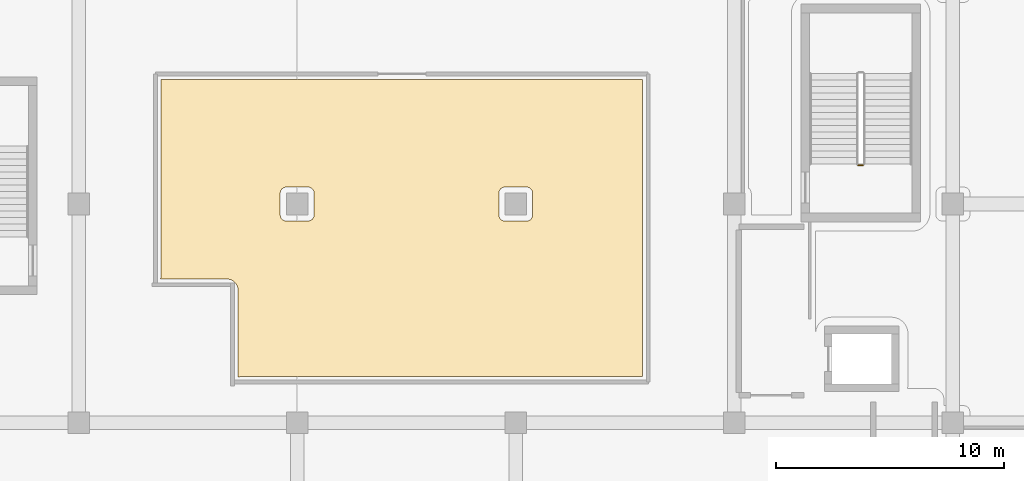
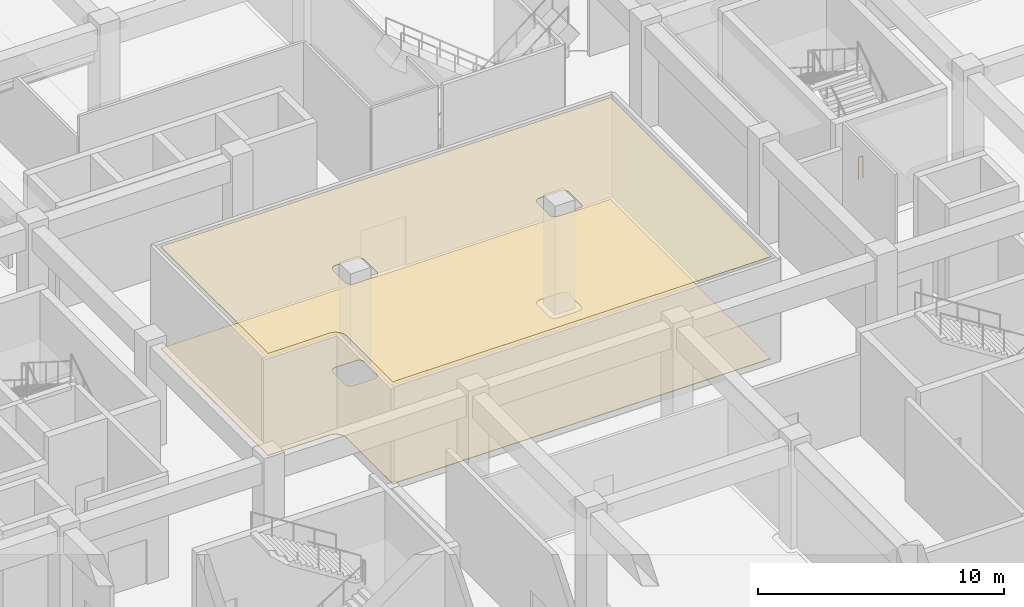
# One storey, part 48 of 74: 2 coverings, 1 railing.
"""IFC4 building model written with IfcOpenShell, lengths in metres."""

from ifc_helpers import new_model, si_unit, direction, frame, origin, origin_2d, place, context, subcontext, project, spatial, polyline, circle, outline, extrude, material, layer, layer_set, type_object, element, save


model = new_model("IFC4")

# Units and contexts
model_context = context("Model", 3, precision=1e-05, world=origin(), true_north=direction((0.0, 1.0)))
body_context = subcontext(model_context, "Body", "Model", "MODEL_VIEW")
ifc_project = project(units=[si_unit("LENGTHUNIT", "METRE"), si_unit("AREAUNIT", "SQUARE_METRE"), si_unit("VOLUMEUNIT", "CUBIC_METRE"), si_unit("PLANEANGLEUNIT", "RADIAN"), si_unit("MASSUNIT", "GRAM", prefix="KILO")], contexts=[model_context])

# Site, building, storey
site_placement = place(None, origin())
site = spatial("IfcSite", under=ifc_project, at=site_placement, CompositionType="ELEMENT")
building_placement = place(site_placement, origin())
building = spatial("IfcBuilding", under=site, at=building_placement, Name="Cendralis Terraced Arcade", CompositionType="ELEMENT")
storey_placement = place(building_placement, origin())
storey = spatial("IfcBuildingStorey", under=building, at=storey_placement, Name="L00", CompositionType="ELEMENT", Elevation=0.0)

# Coverings
ifc_material_1 = material(Name="Gypsum plasterboard acoustic partition")
ifc_layer_1 = layer(ifc_material_1, 0.02490234375, Name="COV-CEIL-ACOU-25")
ifc_layer_set_1 = layer_set([ifc_layer_1], Name="Gypsum plasterboard acoustic partition")
covering_type_1 = type_object("IfcCoveringType", Name="COV-CEIL-ACOU-25", PredefinedType="CEILING", material=ifc_layer_set_1)
covering_1_placement = place(storey_placement, frame((0.0, 0.0, 5.06494140625)))
element("IfcCovering", 1, at=covering_1_placement, inside=storey, type_object=covering_type_1, Name="Acoustic Soffit Ceiling L00-024", PredefinedType="CEILING", context=body_context, shape_type="SweptSolid", body=[
    extrude(outline(polyline([(22.803466796875, 25.52001953125), (22.8046875, 25.52587890625), (22.80615234375, 25.53173828125), (22.807373046875, 25.53759765625), (22.809814453125, 25.54931640625), (22.810791015625, 25.555419921875), (22.811767578125, 25.56103515625), (22.812744140625, 25.567138671875), (22.82177734375, 25.627197265625), (22.822509765625, 25.63330078125), (22.8232421875, 25.639404296875), (22.823974609375, 25.6455078125), (22.8251953125, 25.656982421875), (22.82568359375, 25.6630859375), (22.825927734375, 25.669189453125), (22.826416015625, 25.67529296875), (22.829345703125, 25.736083984375), (22.82958984375, 25.739013671875), (22.82958984375, 25.741943359375), (22.82958984375, 25.7451171875), (22.829833984375, 25.7509765625), (22.829833984375, 25.75390625), (22.830078125, 25.7568359375), (22.830078125, 25.760009765625), (22.830078125, 34.27001953125), (43.969970703125, 34.27001953125), (43.969970703125, 21.22998046875), (26.4599609375, 21.22998046875), (26.456787109375, 21.22998046875), (26.4541015625, 21.22998046875), (26.450927734375, 21.22998046875), (26.445068359375, 21.229736328125), (26.44189453125, 21.2294921875), (26.43896484375, 21.2294921875), (26.43603515625, 21.2294921875), (26.375244140625, 21.226318359375), (26.369140625, 21.22607421875), (26.36328125, 21.2255859375), (26.357177734375, 21.22509765625), (26.345458984375, 21.223876953125), (26.33935546875, 21.223388671875), (26.33349609375, 21.222412109375), (26.327392578125, 21.2216796875), (26.26708984375, 21.212890625), (26.260986328125, 21.2119140625), (26.25537109375, 21.210693359375), (26.249267578125, 21.209716796875), (26.23779296875, 21.20751953125), (26.231689453125, 21.2060546875), (26.22607421875, 21.204833984375), (26.219970703125, 21.203369140625), (26.2099609375, 21.200927734375), (26.2099609375, 25.0), (26.2099609375, 25.006103515625), (26.209716796875, 25.011962890625), (26.209716796875, 25.018310546875), (26.208984375, 25.031982421875), (26.2080078125, 25.044189453125), (26.206787109375, 25.055908203125), (26.205322265625, 25.068115234375), (26.203369140625, 25.08154296875), (26.201171875, 25.09375), (26.198974609375, 25.105224609375), (26.1962890625, 25.1171875), (26.19287109375, 25.130615234375), (26.189697265625, 25.142333984375), (26.186279296875, 25.153564453125), (26.182373046875, 25.165283203125), (26.177734375, 25.17822265625), (26.17333984375, 25.189697265625), (26.168701171875, 25.20068359375), (26.163818359375, 25.2119140625), (26.157958984375, 25.22412109375), (26.15234375, 25.235107421875), (26.14697265625, 25.24560546875), (26.140869140625, 25.256103515625), (26.1337890625, 25.26806640625), (26.127197265625, 25.2783203125), (26.12060546875, 25.2880859375), (26.113525390625, 25.298095703125), (26.10546875, 25.30908203125), (26.097900390625, 25.31884765625), (26.09033203125, 25.327880859375), (26.08251953125, 25.33740234375), (26.072998046875, 25.347412109375), (26.064697265625, 25.3564453125), (26.056396484375, 25.36474609375), (26.047607421875, 25.373046875), (26.037353515625, 25.38232421875), (26.028076171875, 25.390380859375), (26.018798828125, 25.39794921875), (26.00927734375, 25.405517578125), (25.998291015625, 25.41357421875), (25.98828125, 25.420654296875), (25.978515625, 25.42724609375), (25.968017578125, 25.433837890625), (25.956298828125, 25.44091796875), (25.945556640625, 25.447021484375), (25.935302734375, 25.452392578125), (25.92431640625, 25.4580078125), (25.911865234375, 25.4638671875), (25.900634765625, 25.46875), (25.8896484375, 25.473388671875), (25.878173828125, 25.477783203125), (25.865234375, 25.482421875), (25.853515625, 25.486083984375), (25.84228515625, 25.489501953125), (25.83056640625, 25.492919921875), (25.817138671875, 25.49609375), (25.80517578125, 25.498779296875), (25.793701171875, 25.501220703125), (25.781494140625, 25.50341796875), (25.76806640625, 25.50537109375), (25.755859375, 25.5068359375), (25.744140625, 25.508056640625), (25.73193359375, 25.5087890625), (25.71826171875, 25.509521484375), (25.7119140625, 25.509765625), (25.7060546875, 25.510009765625), (25.699951171875, 25.510009765625), (22.80078125, 25.510009765625), (22.803466796875, 25.52001953125)]), holes=[polyline([(37.785400390625, 28.093994140625), (37.787109375, 28.093017578125), (37.80859375, 28.081298828125), (37.810546875, 28.08056640625), (37.8330078125, 28.071044921875), (37.8349609375, 28.070556640625), (37.8583984375, 28.0634765625), (37.8603515625, 28.06298828125), (37.884521484375, 28.05810546875), (37.886474609375, 28.057861328125), (37.910888671875, 28.055419921875), (37.91259765625, 28.055419921875), (37.925048828125, 28.054931640625), (38.875, 28.054931640625), (38.88720703125, 28.055419921875), (38.88916015625, 28.055419921875), (38.91357421875, 28.057861328125), (38.91552734375, 28.05810546875), (38.939697265625, 28.06298828125), (38.941650390625, 28.0634765625), (38.965087890625, 28.070556640625), (38.966796875, 28.071044921875), (38.989501953125, 28.08056640625), (38.9912109375, 28.081298828125), (39.012939453125, 28.093017578125), (39.0146484375, 28.093994140625), (39.034912109375, 28.107666015625), (39.03662109375, 28.108642578125), (39.0556640625, 28.124267578125), (39.056884765625, 28.12548828125), (39.074462890625, 28.14306640625), (39.07568359375, 28.144287109375), (39.09130859375, 28.163330078125), (39.09228515625, 28.1650390625), (39.106201171875, 28.185302734375), (39.107177734375, 28.18701171875), (39.11865234375, 28.208740234375), (39.119384765625, 28.21044921875), (39.12890625, 28.233154296875), (39.12939453125, 28.235107421875), (39.13671875, 28.25830078125), (39.13720703125, 28.260498046875), (39.141845703125, 28.284423828125), (39.14208984375, 28.286376953125), (39.14453125, 28.310791015625), (39.144775390625, 28.312744140625), (39.14501953125, 28.324951171875), (39.14501953125, 29.27490234375), (39.144775390625, 29.287353515625), (39.14453125, 29.289306640625), (39.14208984375, 29.313720703125), (39.141845703125, 29.315673828125), (39.13720703125, 29.339599609375), (39.13671875, 29.341552734375), (39.12939453125, 29.364990234375), (39.12890625, 29.366943359375), (39.119384765625, 29.389404296875), (39.11865234375, 29.391357421875), (39.107177734375, 29.4130859375), (39.106201171875, 29.41455078125), (39.09228515625, 29.43505859375), (39.09130859375, 29.4365234375), (39.07568359375, 29.45556640625), (39.074462890625, 29.45703125), (39.056884765625, 29.474365234375), (39.0556640625, 29.4755859375), (39.03662109375, 29.4912109375), (39.034912109375, 29.492431640625), (39.0146484375, 29.506103515625), (39.012939453125, 29.507080078125), (38.9912109375, 29.5185546875), (38.989501953125, 29.51953125), (38.966796875, 29.52880859375), (38.965087890625, 29.529541015625), (38.941650390625, 29.53662109375), (38.939697265625, 29.537109375), (38.91552734375, 29.5419921875), (38.91357421875, 29.542236328125), (38.88916015625, 29.544677734375), (38.88720703125, 29.544677734375), (38.875, 29.544921875), (37.925048828125, 29.544921875), (37.91259765625, 29.544677734375), (37.910888671875, 29.544677734375), (37.886474609375, 29.542236328125), (37.884521484375, 29.5419921875), (37.8603515625, 29.537109375), (37.8583984375, 29.53662109375), (37.8349609375, 29.529541015625), (37.8330078125, 29.52880859375), (37.810546875, 29.51953125), (37.80859375, 29.5185546875), (37.787109375, 29.507080078125), (37.785400390625, 29.506103515625), (37.764892578125, 29.492431640625), (37.763427734375, 29.4912109375), (37.744384765625, 29.4755859375), (37.742919921875, 29.474365234375), (37.7255859375, 29.45703125), (37.724365234375, 29.45556640625), (37.708740234375, 29.4365234375), (37.70751953125, 29.43505859375), (37.69384765625, 29.41455078125), (37.69287109375, 29.4130859375), (37.681396484375, 29.391357421875), (37.680419921875, 29.389404296875), (37.671142578125, 29.366943359375), (37.67041015625, 29.364990234375), (37.663330078125, 29.341552734375), (37.662841796875, 29.339599609375), (37.658203125, 29.315673828125), (37.65771484375, 29.313720703125), (37.655517578125, 29.289306640625), (37.6552734375, 29.287353515625), (37.655029296875, 29.27490234375), (37.655029296875, 28.324951171875), (37.6552734375, 28.312744140625), (37.655517578125, 28.310791015625), (37.65771484375, 28.286376953125), (37.658203125, 28.284423828125), (37.662841796875, 28.260498046875), (37.663330078125, 28.25830078125), (37.67041015625, 28.235107421875), (37.671142578125, 28.233154296875), (37.680419921875, 28.21044921875), (37.681396484375, 28.208740234375), (37.69287109375, 28.18701171875), (37.69384765625, 28.185302734375), (37.70751953125, 28.1650390625), (37.708740234375, 28.163330078125), (37.724365234375, 28.144287109375), (37.7255859375, 28.14306640625), (37.742919921875, 28.12548828125), (37.744384765625, 28.124267578125), (37.763427734375, 28.108642578125), (37.764892578125, 28.107666015625), (37.785400390625, 28.093994140625)]), polyline([(28.185302734375, 28.093994140625), (28.18701171875, 28.093017578125), (28.208740234375, 28.081298828125), (28.21044921875, 28.08056640625), (28.233154296875, 28.071044921875), (28.235107421875, 28.070556640625), (28.25830078125, 28.0634765625), (28.260498046875, 28.06298828125), (28.284423828125, 28.05810546875), (28.286376953125, 28.057861328125), (28.310791015625, 28.055419921875), (28.312744140625, 28.055419921875), (28.324951171875, 28.054931640625), (29.27490234375, 28.054931640625), (29.287353515625, 28.055419921875), (29.289306640625, 28.055419921875), (29.313720703125, 28.057861328125), (29.315673828125, 28.05810546875), (29.339599609375, 28.06298828125), (29.341552734375, 28.0634765625), (29.364990234375, 28.070556640625), (29.366943359375, 28.071044921875), (29.389404296875, 28.08056640625), (29.391357421875, 28.081298828125), (29.4130859375, 28.093017578125), (29.41455078125, 28.093994140625), (29.43505859375, 28.107666015625), (29.4365234375, 28.108642578125), (29.45556640625, 28.124267578125), (29.45703125, 28.12548828125), (29.474365234375, 28.14306640625), (29.4755859375, 28.144287109375), (29.4912109375, 28.163330078125), (29.492431640625, 28.1650390625), (29.506103515625, 28.185302734375), (29.507080078125, 28.18701171875), (29.5185546875, 28.208740234375), (29.51953125, 28.21044921875), (29.52880859375, 28.233154296875), (29.529541015625, 28.235107421875), (29.53662109375, 28.25830078125), (29.537109375, 28.260498046875), (29.5419921875, 28.284423828125), (29.542236328125, 28.286376953125), (29.544677734375, 28.310791015625), (29.544677734375, 28.312744140625), (29.544921875, 28.324951171875), (29.544921875, 29.27490234375), (29.544677734375, 29.287353515625), (29.544677734375, 29.289306640625), (29.542236328125, 29.313720703125), (29.5419921875, 29.315673828125), (29.537109375, 29.339599609375), (29.53662109375, 29.341552734375), (29.529541015625, 29.364990234375), (29.52880859375, 29.366943359375), (29.51953125, 29.389404296875), (29.5185546875, 29.391357421875), (29.507080078125, 29.4130859375), (29.506103515625, 29.41455078125), (29.492431640625, 29.43505859375), (29.4912109375, 29.4365234375), (29.4755859375, 29.45556640625), (29.474365234375, 29.45703125), (29.45703125, 29.474365234375), (29.45556640625, 29.4755859375), (29.4365234375, 29.4912109375), (29.43505859375, 29.492431640625), (29.41455078125, 29.506103515625), (29.4130859375, 29.507080078125), (29.391357421875, 29.5185546875), (29.389404296875, 29.51953125), (29.366943359375, 29.52880859375), (29.364990234375, 29.529541015625), (29.341552734375, 29.53662109375), (29.339599609375, 29.537109375), (29.315673828125, 29.5419921875), (29.313720703125, 29.542236328125), (29.289306640625, 29.544677734375), (29.287353515625, 29.544677734375), (29.27490234375, 29.544921875), (28.324951171875, 29.544921875), (28.312744140625, 29.544677734375), (28.310791015625, 29.544677734375), (28.286376953125, 29.542236328125), (28.284423828125, 29.5419921875), (28.260498046875, 29.537109375), (28.25830078125, 29.53662109375), (28.235107421875, 29.529541015625), (28.233154296875, 29.52880859375), (28.21044921875, 29.51953125), (28.208740234375, 29.5185546875), (28.18701171875, 29.507080078125), (28.185302734375, 29.506103515625), (28.1650390625, 29.492431640625), (28.163330078125, 29.4912109375), (28.144287109375, 29.4755859375), (28.14306640625, 29.474365234375), (28.12548828125, 29.45703125), (28.124267578125, 29.45556640625), (28.108642578125, 29.4365234375), (28.107666015625, 29.43505859375), (28.093994140625, 29.41455078125), (28.093017578125, 29.4130859375), (28.081298828125, 29.391357421875), (28.08056640625, 29.389404296875), (28.071044921875, 29.366943359375), (28.070556640625, 29.364990234375), (28.0634765625, 29.341552734375), (28.06298828125, 29.339599609375), (28.05810546875, 29.315673828125), (28.057861328125, 29.313720703125), (28.055419921875, 29.289306640625), (28.055419921875, 29.287353515625), (28.054931640625, 29.27490234375), (28.054931640625, 28.324951171875), (28.055419921875, 28.312744140625), (28.055419921875, 28.310791015625), (28.057861328125, 28.286376953125), (28.05810546875, 28.284423828125), (28.06298828125, 28.260498046875), (28.0634765625, 28.25830078125), (28.070556640625, 28.235107421875), (28.071044921875, 28.233154296875), (28.08056640625, 28.21044921875), (28.081298828125, 28.208740234375), (28.093017578125, 28.18701171875), (28.093994140625, 28.185302734375), (28.107666015625, 28.1650390625), (28.108642578125, 28.163330078125), (28.124267578125, 28.144287109375), (28.12548828125, 28.14306640625), (28.14306640625, 28.12548828125), (28.144287109375, 28.124267578125), (28.163330078125, 28.108642578125), (28.1650390625, 28.107666015625), (28.185302734375, 28.093994140625)])]), origin(), (0.0, 0.0, 1.0), 0.025146484375),
])
ifc_material_2 = material(Name="Polished Bogota limestone terrazzo flooring", Category="masonry")
ifc_layer_2 = layer(ifc_material_2, 0.030029296875, Name="COV-FLR-TERZ-30")
ifc_layer_set_2 = layer_set([ifc_layer_2], Name="Polished Bogota limestone terrazzo flooring")
covering_type_2 = type_object("IfcCoveringType", Name="COV-FLR-TERZ-30", PredefinedType="FLOORING", material=ifc_layer_set_2)
covering_2_placement = place(storey_placement, origin())
element("IfcCovering", 2, at=covering_2_placement, inside=storey, type_object=covering_type_2, Name="Interior Finish Flooring L00-024", PredefinedType="FLOORING", context=body_context, shape_type="SweptSolid", body=[
    extrude(outline(polyline([(22.803466796875, 25.52001953125), (22.8046875, 25.52587890625), (22.80615234375, 25.53173828125), (22.807373046875, 25.53759765625), (22.809814453125, 25.54931640625), (22.810791015625, 25.555419921875), (22.811767578125, 25.56103515625), (22.812744140625, 25.567138671875), (22.82177734375, 25.627197265625), (22.822509765625, 25.63330078125), (22.8232421875, 25.639404296875), (22.823974609375, 25.6455078125), (22.8251953125, 25.656982421875), (22.82568359375, 25.6630859375), (22.825927734375, 25.669189453125), (22.826416015625, 25.67529296875), (22.829345703125, 25.736083984375), (22.82958984375, 25.739013671875), (22.82958984375, 25.741943359375), (22.82958984375, 25.7451171875), (22.829833984375, 25.7509765625), (22.829833984375, 25.75390625), (22.830078125, 25.7568359375), (22.830078125, 25.760009765625), (22.830078125, 34.27001953125), (43.969970703125, 34.27001953125), (43.969970703125, 21.22998046875), (26.4599609375, 21.22998046875), (26.456787109375, 21.22998046875), (26.4541015625, 21.22998046875), (26.450927734375, 21.22998046875), (26.445068359375, 21.229736328125), (26.44189453125, 21.2294921875), (26.43896484375, 21.2294921875), (26.43603515625, 21.2294921875), (26.375244140625, 21.226318359375), (26.369140625, 21.22607421875), (26.36328125, 21.2255859375), (26.357177734375, 21.22509765625), (26.345458984375, 21.223876953125), (26.33935546875, 21.223388671875), (26.33349609375, 21.222412109375), (26.327392578125, 21.2216796875), (26.26708984375, 21.212890625), (26.260986328125, 21.2119140625), (26.25537109375, 21.210693359375), (26.249267578125, 21.209716796875), (26.23779296875, 21.20751953125), (26.231689453125, 21.2060546875), (26.22607421875, 21.204833984375), (26.219970703125, 21.203369140625), (26.2099609375, 21.200927734375), (26.2099609375, 25.0), (26.2099609375, 25.006103515625), (26.209716796875, 25.011962890625), (26.209716796875, 25.018310546875), (26.208984375, 25.031982421875), (26.2080078125, 25.044189453125), (26.206787109375, 25.055908203125), (26.205322265625, 25.068115234375), (26.203369140625, 25.08154296875), (26.201171875, 25.09375), (26.198974609375, 25.105224609375), (26.1962890625, 25.1171875), (26.19287109375, 25.130615234375), (26.189697265625, 25.142333984375), (26.186279296875, 25.153564453125), (26.182373046875, 25.165283203125), (26.177734375, 25.17822265625), (26.17333984375, 25.189697265625), (26.168701171875, 25.20068359375), (26.163818359375, 25.2119140625), (26.157958984375, 25.22412109375), (26.15234375, 25.235107421875), (26.14697265625, 25.24560546875), (26.140869140625, 25.256103515625), (26.1337890625, 25.26806640625), (26.127197265625, 25.2783203125), (26.12060546875, 25.2880859375), (26.113525390625, 25.298095703125), (26.10546875, 25.30908203125), (26.097900390625, 25.31884765625), (26.09033203125, 25.327880859375), (26.08251953125, 25.33740234375), (26.072998046875, 25.347412109375), (26.064697265625, 25.3564453125), (26.056396484375, 25.36474609375), (26.047607421875, 25.373046875), (26.037353515625, 25.38232421875), (26.028076171875, 25.390380859375), (26.018798828125, 25.39794921875), (26.00927734375, 25.405517578125), (25.998291015625, 25.41357421875), (25.98828125, 25.420654296875), (25.978515625, 25.42724609375), (25.968017578125, 25.433837890625), (25.956298828125, 25.44091796875), (25.945556640625, 25.447021484375), (25.935302734375, 25.452392578125), (25.92431640625, 25.4580078125), (25.911865234375, 25.4638671875), (25.900634765625, 25.46875), (25.8896484375, 25.473388671875), (25.878173828125, 25.477783203125), (25.865234375, 25.482421875), (25.853515625, 25.486083984375), (25.84228515625, 25.489501953125), (25.83056640625, 25.492919921875), (25.817138671875, 25.49609375), (25.80517578125, 25.498779296875), (25.793701171875, 25.501220703125), (25.781494140625, 25.50341796875), (25.76806640625, 25.50537109375), (25.755859375, 25.5068359375), (25.744140625, 25.508056640625), (25.73193359375, 25.5087890625), (25.71826171875, 25.509521484375), (25.7119140625, 25.509765625), (25.7060546875, 25.510009765625), (25.699951171875, 25.510009765625), (22.80078125, 25.510009765625), (22.803466796875, 25.52001953125)]), holes=[polyline([(37.785400390625, 28.093994140625), (37.787109375, 28.093017578125), (37.80859375, 28.081298828125), (37.810546875, 28.08056640625), (37.8330078125, 28.071044921875), (37.8349609375, 28.070556640625), (37.8583984375, 28.0634765625), (37.8603515625, 28.06298828125), (37.884521484375, 28.05810546875), (37.886474609375, 28.057861328125), (37.910888671875, 28.055419921875), (37.91259765625, 28.055419921875), (37.925048828125, 28.054931640625), (38.875, 28.054931640625), (38.88720703125, 28.055419921875), (38.88916015625, 28.055419921875), (38.91357421875, 28.057861328125), (38.91552734375, 28.05810546875), (38.939697265625, 28.06298828125), (38.941650390625, 28.0634765625), (38.965087890625, 28.070556640625), (38.966796875, 28.071044921875), (38.989501953125, 28.08056640625), (38.9912109375, 28.081298828125), (39.012939453125, 28.093017578125), (39.0146484375, 28.093994140625), (39.034912109375, 28.107666015625), (39.03662109375, 28.108642578125), (39.0556640625, 28.124267578125), (39.056884765625, 28.12548828125), (39.074462890625, 28.14306640625), (39.07568359375, 28.144287109375), (39.09130859375, 28.163330078125), (39.09228515625, 28.1650390625), (39.106201171875, 28.185302734375), (39.107177734375, 28.18701171875), (39.11865234375, 28.208740234375), (39.119384765625, 28.21044921875), (39.12890625, 28.233154296875), (39.12939453125, 28.235107421875), (39.13671875, 28.25830078125), (39.13720703125, 28.260498046875), (39.141845703125, 28.284423828125), (39.14208984375, 28.286376953125), (39.14453125, 28.310791015625), (39.144775390625, 28.312744140625), (39.14501953125, 28.324951171875), (39.14501953125, 29.27490234375), (39.144775390625, 29.287353515625), (39.14453125, 29.289306640625), (39.14208984375, 29.313720703125), (39.141845703125, 29.315673828125), (39.13720703125, 29.339599609375), (39.13671875, 29.341552734375), (39.12939453125, 29.364990234375), (39.12890625, 29.366943359375), (39.119384765625, 29.389404296875), (39.11865234375, 29.391357421875), (39.107177734375, 29.4130859375), (39.106201171875, 29.41455078125), (39.09228515625, 29.43505859375), (39.09130859375, 29.4365234375), (39.07568359375, 29.45556640625), (39.074462890625, 29.45703125), (39.056884765625, 29.474365234375), (39.0556640625, 29.4755859375), (39.03662109375, 29.4912109375), (39.034912109375, 29.492431640625), (39.0146484375, 29.506103515625), (39.012939453125, 29.507080078125), (38.9912109375, 29.5185546875), (38.989501953125, 29.51953125), (38.966796875, 29.52880859375), (38.965087890625, 29.529541015625), (38.941650390625, 29.53662109375), (38.939697265625, 29.537109375), (38.91552734375, 29.5419921875), (38.91357421875, 29.542236328125), (38.88916015625, 29.544677734375), (38.88720703125, 29.544677734375), (38.875, 29.544921875), (37.925048828125, 29.544921875), (37.91259765625, 29.544677734375), (37.910888671875, 29.544677734375), (37.886474609375, 29.542236328125), (37.884521484375, 29.5419921875), (37.8603515625, 29.537109375), (37.8583984375, 29.53662109375), (37.8349609375, 29.529541015625), (37.8330078125, 29.52880859375), (37.810546875, 29.51953125), (37.80859375, 29.5185546875), (37.787109375, 29.507080078125), (37.785400390625, 29.506103515625), (37.764892578125, 29.492431640625), (37.763427734375, 29.4912109375), (37.744384765625, 29.4755859375), (37.742919921875, 29.474365234375), (37.7255859375, 29.45703125), (37.724365234375, 29.45556640625), (37.708740234375, 29.4365234375), (37.70751953125, 29.43505859375), (37.69384765625, 29.41455078125), (37.69287109375, 29.4130859375), (37.681396484375, 29.391357421875), (37.680419921875, 29.389404296875), (37.671142578125, 29.366943359375), (37.67041015625, 29.364990234375), (37.663330078125, 29.341552734375), (37.662841796875, 29.339599609375), (37.658203125, 29.315673828125), (37.65771484375, 29.313720703125), (37.655517578125, 29.289306640625), (37.6552734375, 29.287353515625), (37.655029296875, 29.27490234375), (37.655029296875, 28.324951171875), (37.6552734375, 28.312744140625), (37.655517578125, 28.310791015625), (37.65771484375, 28.286376953125), (37.658203125, 28.284423828125), (37.662841796875, 28.260498046875), (37.663330078125, 28.25830078125), (37.67041015625, 28.235107421875), (37.671142578125, 28.233154296875), (37.680419921875, 28.21044921875), (37.681396484375, 28.208740234375), (37.69287109375, 28.18701171875), (37.69384765625, 28.185302734375), (37.70751953125, 28.1650390625), (37.708740234375, 28.163330078125), (37.724365234375, 28.144287109375), (37.7255859375, 28.14306640625), (37.742919921875, 28.12548828125), (37.744384765625, 28.124267578125), (37.763427734375, 28.108642578125), (37.764892578125, 28.107666015625), (37.785400390625, 28.093994140625)]), polyline([(28.185302734375, 28.093994140625), (28.18701171875, 28.093017578125), (28.208740234375, 28.081298828125), (28.21044921875, 28.08056640625), (28.233154296875, 28.071044921875), (28.235107421875, 28.070556640625), (28.25830078125, 28.0634765625), (28.260498046875, 28.06298828125), (28.284423828125, 28.05810546875), (28.286376953125, 28.057861328125), (28.310791015625, 28.055419921875), (28.312744140625, 28.055419921875), (28.324951171875, 28.054931640625), (29.27490234375, 28.054931640625), (29.287353515625, 28.055419921875), (29.289306640625, 28.055419921875), (29.313720703125, 28.057861328125), (29.315673828125, 28.05810546875), (29.339599609375, 28.06298828125), (29.341552734375, 28.0634765625), (29.364990234375, 28.070556640625), (29.366943359375, 28.071044921875), (29.389404296875, 28.08056640625), (29.391357421875, 28.081298828125), (29.4130859375, 28.093017578125), (29.41455078125, 28.093994140625), (29.43505859375, 28.107666015625), (29.4365234375, 28.108642578125), (29.45556640625, 28.124267578125), (29.45703125, 28.12548828125), (29.474365234375, 28.14306640625), (29.4755859375, 28.144287109375), (29.4912109375, 28.163330078125), (29.492431640625, 28.1650390625), (29.506103515625, 28.185302734375), (29.507080078125, 28.18701171875), (29.5185546875, 28.208740234375), (29.51953125, 28.21044921875), (29.52880859375, 28.233154296875), (29.529541015625, 28.235107421875), (29.53662109375, 28.25830078125), (29.537109375, 28.260498046875), (29.5419921875, 28.284423828125), (29.542236328125, 28.286376953125), (29.544677734375, 28.310791015625), (29.544677734375, 28.312744140625), (29.544921875, 28.324951171875), (29.544921875, 29.27490234375), (29.544677734375, 29.287353515625), (29.544677734375, 29.289306640625), (29.542236328125, 29.313720703125), (29.5419921875, 29.315673828125), (29.537109375, 29.339599609375), (29.53662109375, 29.341552734375), (29.529541015625, 29.364990234375), (29.52880859375, 29.366943359375), (29.51953125, 29.389404296875), (29.5185546875, 29.391357421875), (29.507080078125, 29.4130859375), (29.506103515625, 29.41455078125), (29.492431640625, 29.43505859375), (29.4912109375, 29.4365234375), (29.4755859375, 29.45556640625), (29.474365234375, 29.45703125), (29.45703125, 29.474365234375), (29.45556640625, 29.4755859375), (29.4365234375, 29.4912109375), (29.43505859375, 29.492431640625), (29.41455078125, 29.506103515625), (29.4130859375, 29.507080078125), (29.391357421875, 29.5185546875), (29.389404296875, 29.51953125), (29.366943359375, 29.52880859375), (29.364990234375, 29.529541015625), (29.341552734375, 29.53662109375), (29.339599609375, 29.537109375), (29.315673828125, 29.5419921875), (29.313720703125, 29.542236328125), (29.289306640625, 29.544677734375), (29.287353515625, 29.544677734375), (29.27490234375, 29.544921875), (28.324951171875, 29.544921875), (28.312744140625, 29.544677734375), (28.310791015625, 29.544677734375), (28.286376953125, 29.542236328125), (28.284423828125, 29.5419921875), (28.260498046875, 29.537109375), (28.25830078125, 29.53662109375), (28.235107421875, 29.529541015625), (28.233154296875, 29.52880859375), (28.21044921875, 29.51953125), (28.208740234375, 29.5185546875), (28.18701171875, 29.507080078125), (28.185302734375, 29.506103515625), (28.1650390625, 29.492431640625), (28.163330078125, 29.4912109375), (28.144287109375, 29.4755859375), (28.14306640625, 29.474365234375), (28.12548828125, 29.45703125), (28.124267578125, 29.45556640625), (28.108642578125, 29.4365234375), (28.107666015625, 29.43505859375), (28.093994140625, 29.41455078125), (28.093017578125, 29.4130859375), (28.081298828125, 29.391357421875), (28.08056640625, 29.389404296875), (28.071044921875, 29.366943359375), (28.070556640625, 29.364990234375), (28.0634765625, 29.341552734375), (28.06298828125, 29.339599609375), (28.05810546875, 29.315673828125), (28.057861328125, 29.313720703125), (28.055419921875, 29.289306640625), (28.055419921875, 29.287353515625), (28.054931640625, 29.27490234375), (28.054931640625, 28.324951171875), (28.055419921875, 28.312744140625), (28.055419921875, 28.310791015625), (28.057861328125, 28.286376953125), (28.05810546875, 28.284423828125), (28.06298828125, 28.260498046875), (28.0634765625, 28.25830078125), (28.070556640625, 28.235107421875), (28.071044921875, 28.233154296875), (28.08056640625, 28.21044921875), (28.081298828125, 28.208740234375), (28.093017578125, 28.18701171875), (28.093994140625, 28.185302734375), (28.107666015625, 28.1650390625), (28.108642578125, 28.163330078125), (28.124267578125, 28.144287109375), (28.12548828125, 28.14306640625), (28.14306640625, 28.12548828125), (28.144287109375, 28.124267578125), (28.163330078125, 28.108642578125), (28.1650390625, 28.107666015625), (28.185302734375, 28.093994140625)])]), origin(), (0.0, 0.0, 1.0), 0.030029296875),
])

# Railing
ifc_material_3 = material(Name="Brushed stainless steel AISI 316", Category="steel")
railing_type = type_object("IfcRailingType", Name="RL-STAIR-GUARD-1100", PredefinedType="GUARDRAIL", material=ifc_material_3)
railing_placement = place(storey_placement, frame((53.64990234375, 30.5, 0.0)))
element("IfcRailing", 3, at=railing_placement, inside=storey, type_object=railing_type, Name="L00 ST-04 stair guard 4", PredefinedType="GUARDRAIL", context=body_context, shape_type="SweptSolid", body=[
    extrude(circle(Radius=0.02392578125, at=origin_2d()), frame((0.0, 0.0, 1.076171875), z_axis=(-1.0, 0.0, 0.0), x_axis=(0.0, -1.0, 0.0)), (0.0, 0.0, 1.0), 0.199951171875),
    extrude(circle(Radius=0.02099609375, at=origin_2d()), origin(), (0.0, 0.0, 1.0), 1.052001953125),
    extrude(circle(Radius=0.02099609375, at=origin_2d()), frame((-0.199951171875, 0.0, 0.0)), (0.0, 0.0, 1.0), 1.052001953125),
])

save(model, "model.ifc")
